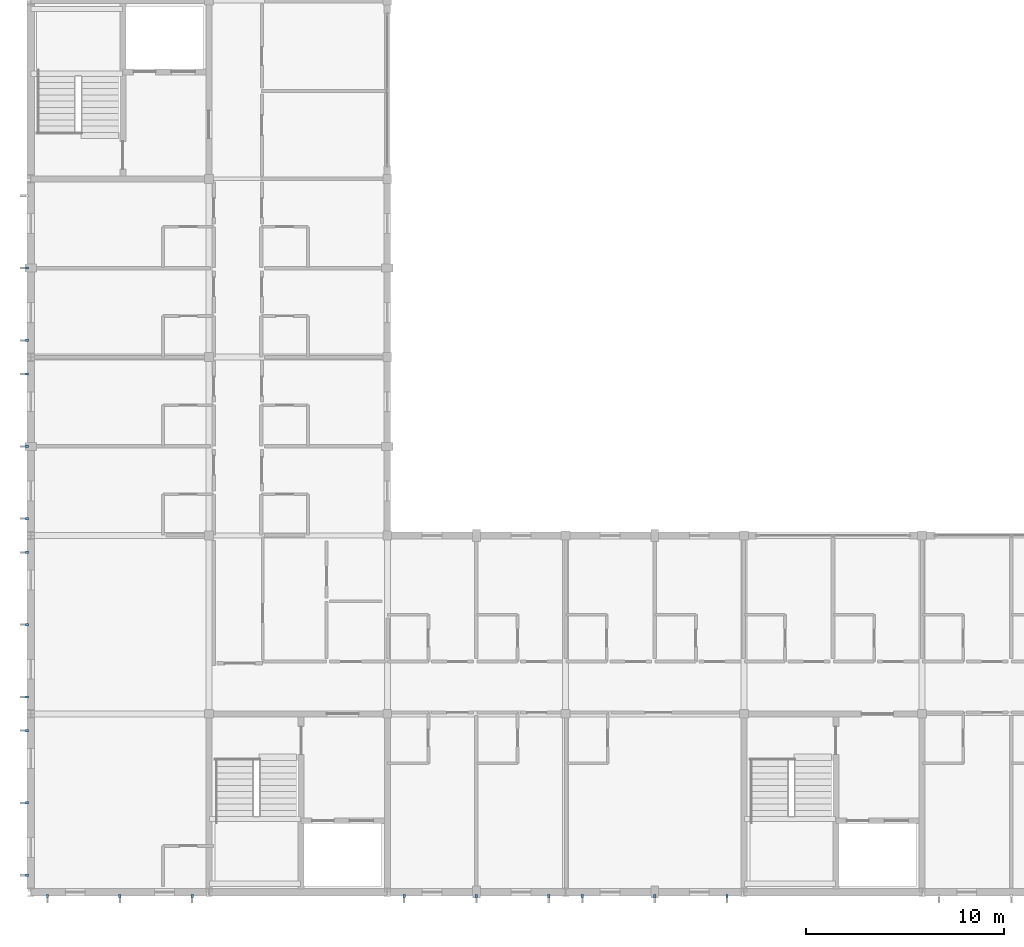
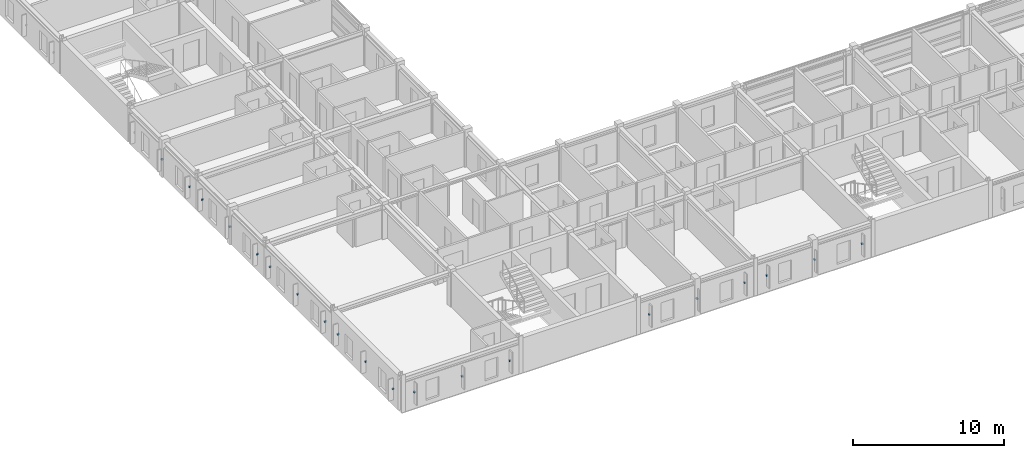
# One storey, part 18 of 24: 20 discrete accessories.
"""IFC4 building model written with IfcOpenShell, lengths in metres."""

from ifc_helpers import new_model, si_unit, direction, frame, origin, origin_2d, place, context, subcontext, project, spatial, rectangle, extrude, material, type_object, element, save


model = new_model("IFC4")

# Units and contexts
model_context = context("Model", 3, precision=1e-05, world=origin(), true_north=direction((0.0, 1.0)))
body_context = subcontext(model_context, "Body", "Model", "MODEL_VIEW")
ifc_project = project(units=[si_unit("LENGTHUNIT", "METRE"), si_unit("AREAUNIT", "SQUARE_METRE"), si_unit("VOLUMEUNIT", "CUBIC_METRE"), si_unit("PLANEANGLEUNIT", "RADIAN"), si_unit("MASSUNIT", "GRAM", prefix="KILO")], contexts=[model_context])

# Site, building, storey
site_placement = place(None, origin())
site = spatial("IfcSite", under=ifc_project, at=site_placement, CompositionType="ELEMENT")
building_placement = place(site_placement, origin())
building = spatial("IfcBuilding", under=site, at=building_placement, Name="Palais des Congres Ocreval", CompositionType="ELEMENT")
storey_placement = place(building_placement, frame((0.0, 0.0, 17.60009765625)))
storey = spatial("IfcBuildingStorey", under=building, at=storey_placement, Name="L05", CompositionType="ELEMENT", Elevation=17.60009765625)

# Discrete accessories
ifc_material = material(Name="Steel S355", Category="steel")
discrete_accessory_type = type_object("IfcDiscreteAccessoryType", Name="Stainless Brise-Soleil Fixing Bracket", PredefinedType="BRACKET", material=ifc_material)
for number, where, z_axis, x_axis, name in (
    (1, (35.14990234375, -0.18994140625, 1.289794921875), (0.0, 0.0, 1.0), (0.0, -1.0, 0.0), "Celosia Fixing Bracket BK01"),
    (2, (31.5, -0.18994140625, 1.289794921875), (0.0, 0.0, 1.0), (0.0, -1.0, 0.0), "Celosia Fixing Bracket BK01"),
    (3, (27.85009765625, -0.18994140625, 1.289794921875), (0.0, 0.0, 1.0), (0.0, -1.0, 0.0), "Celosia Fixing Bracket BK01"),
    (4, (26.14990234375, -0.18994140625, 1.289794921875), (0.0, 0.0, 1.0), (0.0, -1.0, 0.0), "Celosia Fixing Bracket BK01"),
    (5, (22.5, -0.18994140625, 1.289794921875), (0.0, 0.0, 1.0), (0.0, -1.0, 0.0), "Celosia Fixing Bracket BK01"),
    (6, (18.85009765625, -0.18994140625, 1.289794921875), (0.0, 0.0, 1.0), (0.0, -1.0, 0.0), "Celosia Fixing Bracket BK01"),
    (7, (8.14990234375, -0.18994140625, 1.289794921875), (0.0, 0.0, 1.0), (0.0, -1.0, 0.0), "Celosia Fixing Bracket BK01"),
    (8, (4.5, -0.18994140625, 1.289794921875), (0.0, 0.0, 1.0), (0.0, -1.0, 0.0), "Celosia Fixing Bracket BK01"),
    (9, (0.85009765625, -0.18994140625, 1.289794921875), (0.0, 0.0, 1.0), (0.0, -1.0, 0.0), "Celosia Fixing Bracket BK01"),
    (10, (-0.18994140625, 0.85009765625, 1.289794921875), (0.0, 0.0, 1.0), (-1.0, 0.0, 0.0), "Celosia Fixing Bracket BK01"),
    (11, (-0.18994140625, 4.5, 1.289794921875), (0.0, 0.0, 1.0), (-1.0, 0.0, 0.0), "Celosia Fixing Bracket BK01"),
    (12, (-0.18994140625, 8.14990234375, 1.289794921875), (0.0, 0.0, 1.0), (-1.0, 0.0, 0.0), "Celosia Fixing Bracket BK01"),
    (13, (-0.18994140625, 9.85009765625, 1.289794921875), (0.0, 0.0, 1.0), (-1.0, 0.0, 0.0), "Celosia Fixing Bracket BK01"),
    (14, (-0.18994140625, 13.5, 1.289794921875), (0.0, 0.0, 1.0), (-1.0, 0.0, 0.0), "Celosia Fixing Bracket BK01"),
    (15, (-0.18994140625, 17.14990234375, 1.289794921875), (0.0, 0.0, 1.0), (-1.0, 0.0, 0.0), "Celosia Fixing Bracket BK01"),
    (16, (-0.18994140625, 18.85009765625, 1.289794921875), (0.0, 0.0, 1.0), (-1.0, 0.0, 0.0), "Celosia Fixing Bracket BK01"),
    (17, (-0.18994140625, 22.5, 1.289794921875), (0.0, 0.0, 1.0), (-1.0, 0.0, 0.0), "Celosia Fixing Bracket BK01"),
    (18, (-0.18994140625, 26.14990234375, 1.289794921875), (0.0, 0.0, 1.0), (-1.0, 0.0, 0.0), "Celosia Fixing Bracket BK01"),
    (19, (-0.18994140625, 27.85009765625, 1.289794921875), (0.0, 0.0, 1.0), (-1.0, 0.0, 0.0), "Celosia Fixing Bracket BK01"),
    (20, (-0.18994140625, 31.5, 1.289794921875), (0.0, 0.0, 1.0), (-1.0, 0.0, 0.0), "Celosia Fixing Bracket BK01"),
):
    element("IfcDiscreteAccessory", number, at=place(storey_placement, frame(where, z_axis=z_axis, x_axis=x_axis)), inside=storey, type_object=discrete_accessory_type, Name=name, PredefinedType="BRACKET", context=body_context, shape_type="SweptSolid", body=[
        extrude(rectangle(XDim=0.159912109375, YDim=0.1201171875, at=origin_2d()), origin(), (0.0, 0.0, 1.0), 0.1201171875),
    ])

save(model, "model.ifc")
